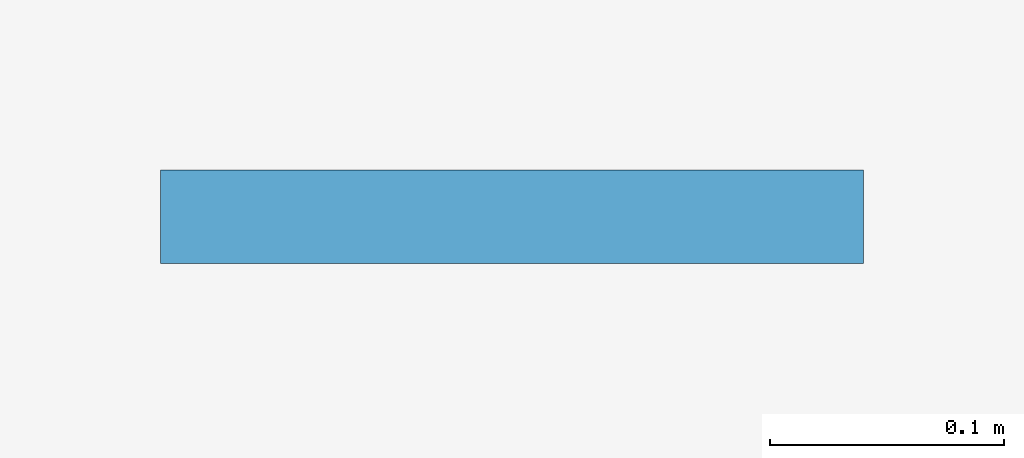
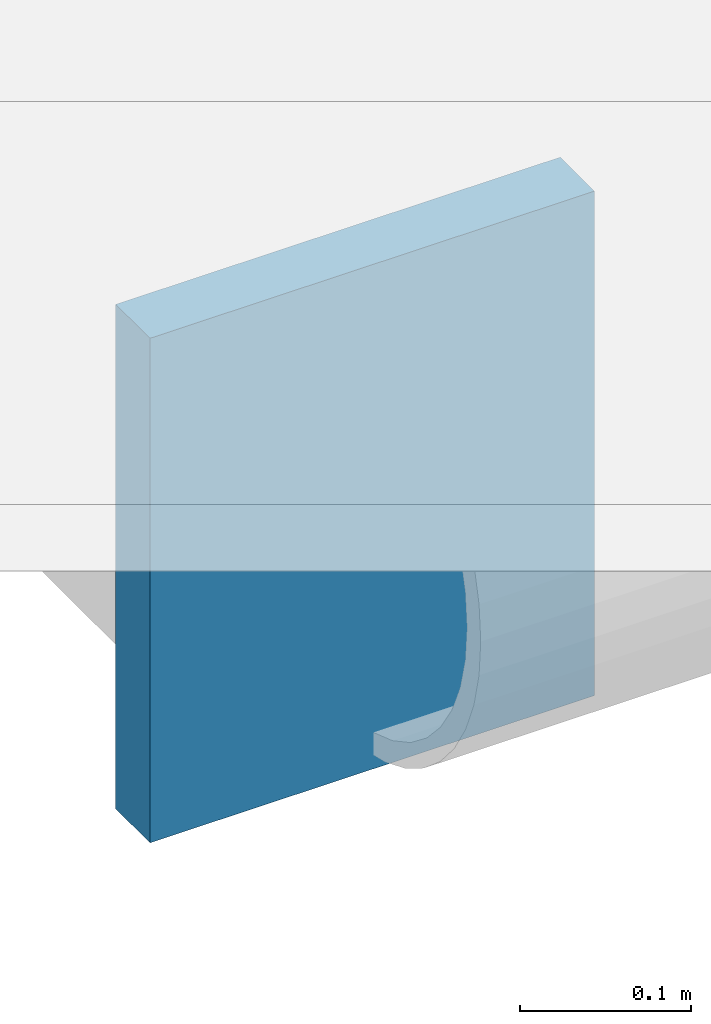
# One storey, part 19 of 28: 1 plate.
"""IFC4 building model written with IfcOpenShell, lengths in metres."""

import ifcopenshell
import ifcopenshell.guid

model = None  # the IFC model being written
_history = None  # IfcOwnerHistory: only IFC2X3 demands one
_inside = {}  # id of a spatial element -> (the spatial element, [elements in it])
_under = {}  # id of a project, library or spatial element -> (it, [spatial elements below it])
_declared = {}  # id of a project -> (the project, [libraries it declares])
_typed = {}  # id of a type object -> (the type object, [elements of that type])
_made_of = {}  # id of a material, layer set ... -> (it, [elements and type objects made of it])


def new_model(schema):
    """Start an empty IFC model of exactly this schema.

    Asked for "IFC4X3", IfcOpenShell would pick the latest addendum, in which some entities
    have other attributes; the version numbers below select the first issue.
    IFC2X3 requires an IfcOwnerHistory on every rooted entity: one is made here for all.
    """
    global model, _history
    if schema == "IFC4X3":
        model = ifcopenshell.file(schema_version=(4, 3, 0, 0))
    else:
        model = ifcopenshell.file(schema=schema)
    _inside.clear()
    _under.clear()
    _declared.clear()
    _typed.clear()
    _made_of.clear()
    _history = None
    if model.schema == "IFC2X3":
        org = make("IfcOrganization", Name="unknown")
        user = make(
            "IfcPersonAndOrganization",
            ThePerson=make("IfcPerson", FamilyName="unknown"),
            TheOrganization=org,
        )
        app = make(
            "IfcApplication",
            ApplicationDeveloper=org,
            Version="unknown",
            ApplicationFullName="unknown",
            ApplicationIdentifier="unknown",
        )
        _history = make(
            "IfcOwnerHistory",
            OwningUser=user,
            OwningApplication=app,
            ChangeAction="ADDED",
            CreationDate=0,
        )
    return model


def make(cls, **values):
    """One entity of the class cls with the attributes given. An attribute that is None is left unset."""
    return model.create_entity(
        cls, **{name: value for name, value in values.items() if value is not None}
    )


def rooted(cls, **values):
    """An entity with a GlobalId (a new one), such as an element, a storey or a relation."""
    return make(cls, GlobalId=ifcopenshell.guid.new(), OwnerHistory=_history, **values)


def si_unit(unit_type, name, prefix=None):
    """IfcSIUnit, for example si_unit("LENGTHUNIT", "METRE", prefix="MILLI")."""
    return make("IfcSIUnit", UnitType=unit_type, Prefix=prefix, Name=name)


def assignment(units):
    """IfcUnitAssignment: the units of a project."""
    return None if units is None else make("IfcUnitAssignment", Units=units)


def point(xyz):
    """IfcCartesianPoint."""
    return None if xyz is None else make("IfcCartesianPoint", Coordinates=xyz)


def direction(xyz):
    """IfcDirection."""
    return None if xyz is None else make("IfcDirection", DirectionRatios=xyz)


def frame(location, z_axis=None, x_axis=None):
    """IfcAxis2Placement3D, a coordinate frame: its origin and axes. An axis left out is left unset."""
    return make(
        "IfcAxis2Placement3D",
        Location=point(location),
        Axis=direction(z_axis),
        RefDirection=direction(x_axis),
    )


def frame_2d(location, x_axis=None):
    """IfcAxis2Placement2D, a coordinate frame in the plane: its origin and x axis."""
    return make(
        "IfcAxis2Placement2D", Location=point(location), RefDirection=direction(x_axis)
    )


def origin():
    """The frame at (0, 0, 0) with its axes left unset."""
    return frame((0.0, 0.0, 0.0))


def origin_2d():
    """The frame at (0, 0) in the plane with its x axis left unset."""
    return frame_2d((0.0, 0.0))


def place(relative_to, where):
    """IfcLocalPlacement: puts the frame where relative to a parent placement (None: the world)."""
    return make(
        "IfcLocalPlacement", PlacementRelTo=relative_to, RelativePlacement=where
    )


def context(
    kind, dimensions, precision=None, world=None, true_north=None, identifier=None
):
    """IfcGeometricRepresentationContext, for example the 3D "Model" context."""
    return make(
        "IfcGeometricRepresentationContext",
        ContextIdentifier=identifier,
        ContextType=kind,
        CoordinateSpaceDimension=dimensions,
        Precision=precision,
        WorldCoordinateSystem=world,
        TrueNorth=true_north,
    )


def subcontext(parent, identifier, kind, view, scale=None):
    """IfcGeometricRepresentationSubContext, for example "Body" below "Model"."""
    return make(
        "IfcGeometricRepresentationSubContext",
        ContextIdentifier=identifier,
        ContextType=kind,
        ParentContext=parent,
        TargetScale=scale,
        TargetView=view,
    )


def project(units=None, contexts=None):
    """IfcProject with its units and contexts."""
    return rooted(
        "IfcProject",
        Name="project",
        RepresentationContexts=contexts,
        UnitsInContext=assignment(units),
    )


def spatial(cls, under=None, at=None, **own):
    """A site, building, storey or space (cls), placed at a placement, below another one or the project."""
    s = rooted(cls, ObjectPlacement=at, **own)
    if under is not None:
        _under.setdefault(under.id(), (under, []))[1].append(s)
    return s


def profile(cls, at=None, kind="AREA", **sizes):
    """A parametric profile (cls). Its sizes go by their IFC names, for example OverallWidth=200.0."""
    return make(cls, ProfileType=kind, Position=at, **sizes)


def rectangle(**sizes):
    """IfcRectangleProfileDef."""
    return profile("IfcRectangleProfileDef", **sizes)


def extrude(swept, where, along, depth):
    """IfcExtrudedAreaSolid: the profile swept, set in the frame where, extruded along a direction by depth."""
    return make(
        "IfcExtrudedAreaSolid",
        SweptArea=swept,
        Position=where,
        ExtrudedDirection=direction(along),
        Depth=depth,
    )


def shape(context_of_items, identifier, shape_type, items):
    """IfcShapeRepresentation: the items that make up one representation, for example the "Body"."""
    return make(
        "IfcShapeRepresentation",
        ContextOfItems=context_of_items,
        RepresentationIdentifier=identifier,
        RepresentationType=shape_type,
        Items=items,
    )


def material(Name=None, Category=None):
    """IfcMaterial."""
    return make("IfcMaterial", Name=Name, Category=Category)


def layer(
    of_material, thickness, ventilated=None, Name=None, Category=None, Priority=None
):
    """IfcMaterialLayer: one layer of a wall or slab, of a material (None: an air gap)."""
    return make(
        "IfcMaterialLayer",
        Material=of_material,
        LayerThickness=thickness,
        IsVentilated=ventilated,
        Name=Name,
        Category=Category,
        Priority=Priority,
    )


def layer_set(layers, Name=None):
    """IfcMaterialLayerSet."""
    return make("IfcMaterialLayerSet", MaterialLayers=layers, LayerSetName=Name)


def made_of(thing, what):
    """Note that an element or type object is made of a material, layer set ...; save() writes the relation."""
    if what is not None:
        _made_of.setdefault(what.id(), (what, []))[1].append(thing)
    return thing


def type_object(cls, material=None, **own):
    """A type object (cls), such as IfcWallType, which elements share."""
    return made_of(rooted(cls, **own), material)


def element(
    cls,
    number,
    at=None,
    inside=None,
    cuts=None,
    type_object=None,
    material=None,
    context=None,
    identifier="Body",
    shape_type=None,
    held_by="IfcProductDefinitionShape",
    body=None,
    shapes=None,
    **own,
):
    """One element of the class cls, such as IfcWall. Its Tag is "e" and its number.

    at: its placement. inside: the storey or other place that contains it. cuts: it is an
    opening in that element (IfcRelVoidsElement). A single representation is given by context,
    identifier, shape_type and body (its items); several are given by shapes. held_by: the class
    of the entity that holds the representations. save() writes the other relations.
    """
    e = rooted(cls, Tag="e%d" % number, ObjectPlacement=at, **own)
    if body is not None:
        shapes = [shape(context, identifier, shape_type, body)]
    if shapes is not None:
        e.Representation = make(held_by, Representations=shapes)
    if inside is not None:
        _inside.setdefault(inside.id(), (inside, []))[1].append(e)
    if cuts is not None:
        rooted(
            "IfcRelVoidsElement", RelatingBuildingElement=cuts, RelatedOpeningElement=e
        )
    if type_object is not None:
        _typed.setdefault(type_object.id(), (type_object, []))[1].append(e)
    return made_of(e, material)


def aggregate(whole, parts):
    """IfcRelAggregates: a whole, such as a stair, and the parts it consists of."""
    return rooted("IfcRelAggregates", RelatingObject=whole, RelatedObjects=parts)


def save(model, path):
    """Write the relations noted so far, then the file.

    IfcRelAggregates (storeys below a building ...), IfcRelContainedInSpatialStructure (elements
    in a storey), IfcRelDefinesByType, IfcRelAssociatesMaterial and IfcRelDeclares: one each for
    every whole, place, type object, material and project.
    """
    for whole, parts in _under.values():
        aggregate(whole, parts)
    for where, things in _inside.values():
        rooted(
            "IfcRelContainedInSpatialStructure",
            RelatedElements=things,
            RelatingStructure=where,
        )
    for kind, things in _typed.values():
        rooted("IfcRelDefinesByType", RelatedObjects=things, RelatingType=kind)
    for what, things in _made_of.values():
        rooted("IfcRelAssociatesMaterial", RelatedObjects=things, RelatingMaterial=what)
    for by, libraries in _declared.values():
        rooted("IfcRelDeclares", RelatingContext=by, RelatedDefinitions=libraries)
    model.write(path)


model = new_model("IFC4")

# Units and contexts
model_context = context("Model", 3, precision=1e-05, world=origin(), true_north=direction((0.0, 1.0)))
body_context = subcontext(model_context, "Body", "Model", "MODEL_VIEW")
ifc_project = project(units=[si_unit("LENGTHUNIT", "METRE"), si_unit("AREAUNIT", "SQUARE_METRE"), si_unit("VOLUMEUNIT", "CUBIC_METRE"), si_unit("PLANEANGLEUNIT", "RADIAN"), si_unit("MASSUNIT", "GRAM", prefix="KILO"), si_unit("THERMODYNAMICTEMPERATUREUNIT", "KELVIN"), si_unit("POWERUNIT", "WATT")], contexts=[model_context])

# Site, building, storey
site_placement = place(None, origin())
site = spatial("IfcSite", under=ifc_project, at=site_placement, CompositionType="ELEMENT")
building_placement = place(site_placement, origin())
building = spatial("IfcBuilding", under=site, at=building_placement, Name="Svarakhadi Broadcast Tower", CompositionType="ELEMENT")
storey_placement = place(building_placement, frame((0.0, 0.0, 119.39990234375)))
storey = spatial("IfcBuildingStorey", under=building, at=storey_placement, Name="L28", CompositionType="ELEMENT", Elevation=119.39990234375)

# Plate
ifc_material = material(Name="Steel S460ML (IS 2062 E450BR)", Category="steel")
ifc_layer = layer(ifc_material, 0.028076171875)
ifc_layer_set = layer_set([ifc_layer], Name="Steel S460ML (IS 2062 E450BR)")
plate_type = type_object("IfcPlateType", Name="Cap_Plate_CP02", PredefinedType="USERDEFINED", material=ifc_layer_set)
plate_placement = place(storey_placement, frame((-1.800048828125, 29.135009765625, -0.55517578125), z_axis=(0.0, 0.0, 1.0), x_axis=(1.0, 0.0, 0.0)))
element("IfcPlate", 1, at=plate_placement, inside=storey, type_object=plate_type, Name="L28 Balcony Spandrel End Cap Plate 2F-A", ObjectType="FLANGE_PLATE", PredefinedType="USERDEFINED", context=body_context, shape_type="SweptSolid", body=[
    extrude(rectangle(XDim=0.300048828125, YDim=0.0400390625, at=origin_2d()), origin(), (0.0, 0.0, 1.0), 0.360107421875),
])

save(model, "model.ifc")
